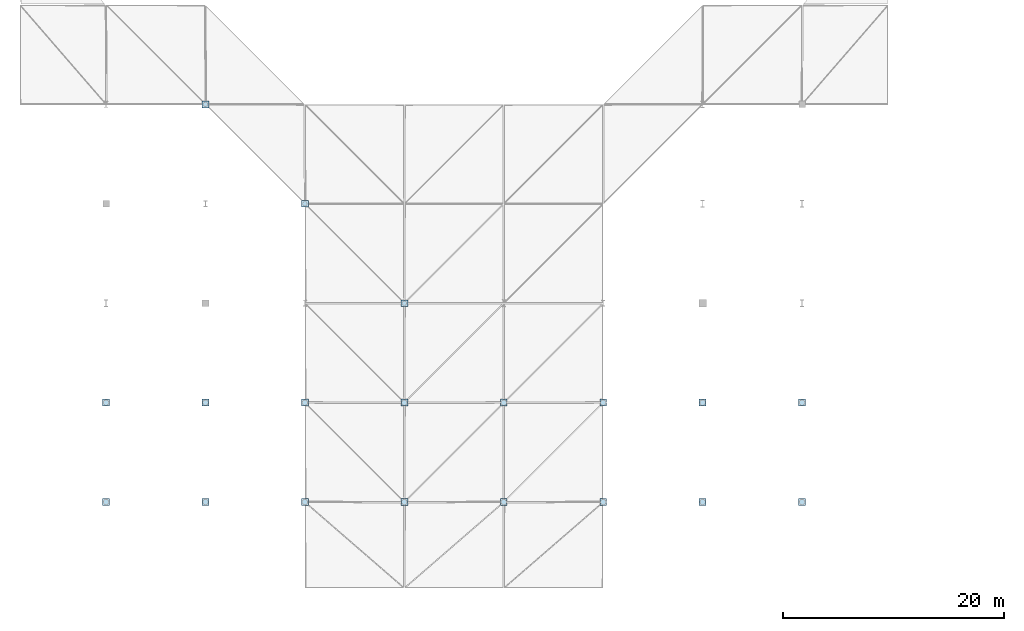
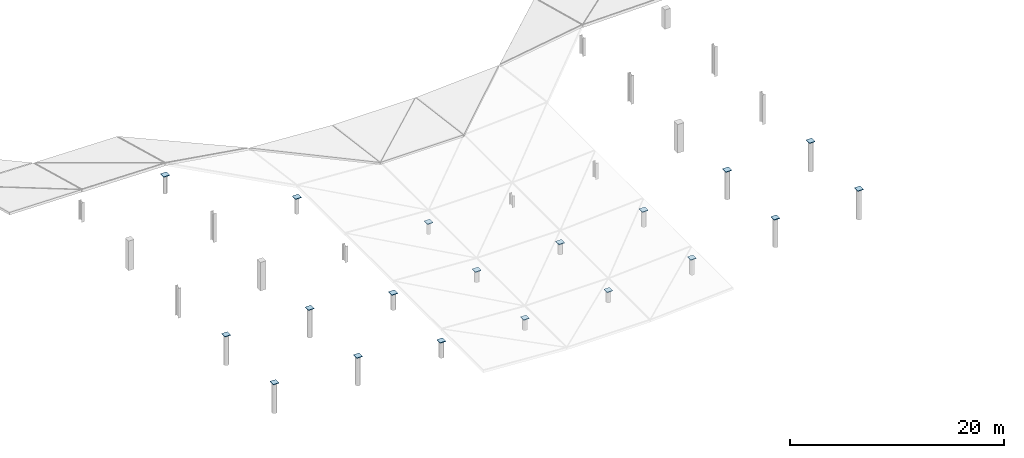
# One storey, part 52 of 58: 19 plates.
"""IFC4 building model written with IfcOpenShell, lengths in metres."""

from ifc_helpers import new_model, si_unit, direction, frame, origin, origin_2d, place, context, subcontext, project, spatial, rectangle, extrude, material, layer, layer_set, type_object, element, save


model = new_model("IFC4")

# Units and contexts
model_context = context("Model", 3, precision=1e-05, world=origin(), true_north=direction((0.0, 1.0)))
body_context = subcontext(model_context, "Body", "Model", "MODEL_VIEW")
ifc_project = project(units=[si_unit("LENGTHUNIT", "METRE"), si_unit("AREAUNIT", "SQUARE_METRE"), si_unit("VOLUMEUNIT", "CUBIC_METRE"), si_unit("PLANEANGLEUNIT", "RADIAN"), si_unit("MASSUNIT", "GRAM", prefix="KILO")], contexts=[model_context])

# Site, building, storey
site_placement = place(None, origin())
site = spatial("IfcSite", under=ifc_project, at=site_placement, CompositionType="ELEMENT")
building_placement = place(site_placement, origin())
building = spatial("IfcBuilding", under=site, at=building_placement, Name="Barlavento Convention Centre", CompositionType="ELEMENT")
storey_placement = place(building_placement, frame((0.0, 0.0, 26.800048828125)))
storey = spatial("IfcBuildingStorey", under=building, at=storey_placement, Name="L05", CompositionType="ELEMENT", Elevation=26.800048828125)

# Plates
ifc_material = material(Name="Steel S355", Category="steel")
ifc_layer = layer(ifc_material, 0.06005859375)
ifc_layer_set = layer_set([ifc_layer], Name="STR-PLT-CAP-620")
plate_type = type_object("IfcPlateType", Name="STR-PLT-CAP-620", PredefinedType="SHEET", material=ifc_layer_set)
for number, where, z_axis, x_axis, name in (
    (1, (0.0, 0.0, 3.35693359375), (0.0, 0.0, 1.0), (1.0, 0.0, 0.0), "Hollow column sealing end-cap plate EC04"),
    (2, (0.0, 9.0, 3.35693359375), (0.0, 0.0, 1.0), (1.0, 0.0, 0.0), "Hollow column sealing end-cap plate EC04"),
    (3, (9.0, 0.0, 3.226318359375), (0.0, 0.0, 1.0), (1.0, 0.0, 0.0), "Hollow column sealing end-cap plate EC04"),
    (4, (9.0, 9.0, 3.226318359375), (0.0, 0.0, 1.0), (1.0, 0.0, 0.0), "Hollow column sealing end-cap plate EC04"),
    (5, (9.0, 36.0, 2.04052734375), (0.0, 0.0, 1.0), (1.0, 0.0, 0.0), "Hollow column sealing end-cap plate EC04"),
    (6, (18.0, 0.0, 1.813720703125), (0.0, 0.0, 1.0), (1.0, 0.0, 0.0), "Hollow column sealing end-cap plate EC04"),
    (7, (18.0, 9.0, 1.813720703125), (0.0, 0.0, 1.0), (1.0, 0.0, 0.0), "Hollow column sealing end-cap plate EC04"),
    (8, (18.0, 27.0, 1.813720703125), (0.0, 0.0, 1.0), (1.0, 0.0, 0.0), "Hollow column sealing end-cap plate EC04"),
    (9, (27.0, 0.0, 1.27001953125), (0.0, 0.0, 1.0), (1.0, 0.0, 0.0), "Hollow column sealing end-cap plate EC04"),
    (10, (27.0, 9.0, 1.27001953125), (0.0, 0.0, 1.0), (1.0, 0.0, 0.0), "Hollow column sealing end-cap plate EC04"),
    (11, (27.0, 18.0, 1.27001953125), (0.0, 0.0, 1.0), (1.0, 0.0, 0.0), "Hollow column sealing end-cap plate EC04"),
    (12, (36.0, 0.0, 1.27001953125), (0.0, 0.0, 1.0), (1.0, 0.0, 0.0), "Hollow column sealing end-cap plate EC04"),
    (13, (36.0, 9.0, 1.27001953125), (0.0, 0.0, 1.0), (1.0, 0.0, 0.0), "Hollow column sealing end-cap plate EC04"),
    (14, (45.0, 0.0, 1.813720703125), (0.0, 0.0, 1.0), (1.0, 0.0, 0.0), "Hollow column sealing end-cap plate EC04"),
    (15, (45.0, 9.0, 1.813720703125), (0.0, 0.0, 1.0), (1.0, 0.0, 0.0), "Hollow column sealing end-cap plate EC04"),
    (16, (54.0, 0.0, 3.226318359375), (0.0, 0.0, 1.0), (1.0, 0.0, 0.0), "Hollow column sealing end-cap plate EC04"),
    (17, (54.0, 9.0, 3.226318359375), (0.0, 0.0, 1.0), (1.0, 0.0, 0.0), "Hollow column sealing end-cap plate EC04"),
    (18, (63.0, 0.0, 3.35693359375), (0.0, 0.0, 1.0), (1.0, 0.0, 0.0), "Hollow column sealing end-cap plate EC04"),
    (19, (63.0, 9.0, 3.35693359375), (0.0, 0.0, 1.0), (1.0, 0.0, 0.0), "Hollow column sealing end-cap plate EC04"),
):
    element("IfcPlate", number, at=place(storey_placement, frame(where, z_axis=z_axis, x_axis=x_axis)), inside=storey, type_object=plate_type, Name=name, PredefinedType="SHEET", context=body_context, shape_type="SweptSolid", body=[
        extrude(rectangle(XDim=0.6201171875, YDim=0.6201171875, at=origin_2d()), origin(), (0.0, 0.0, 1.0), 0.06005859375),
    ])

save(model, "model.ifc")
